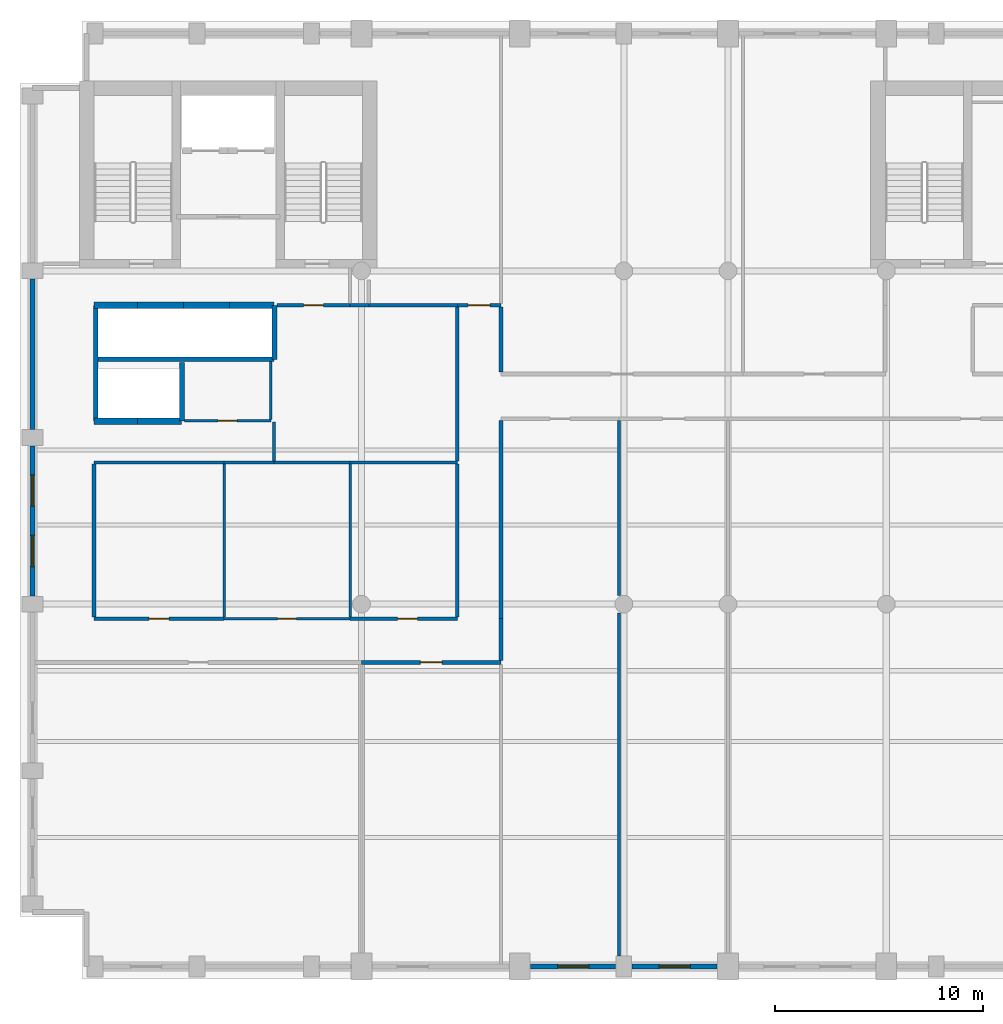
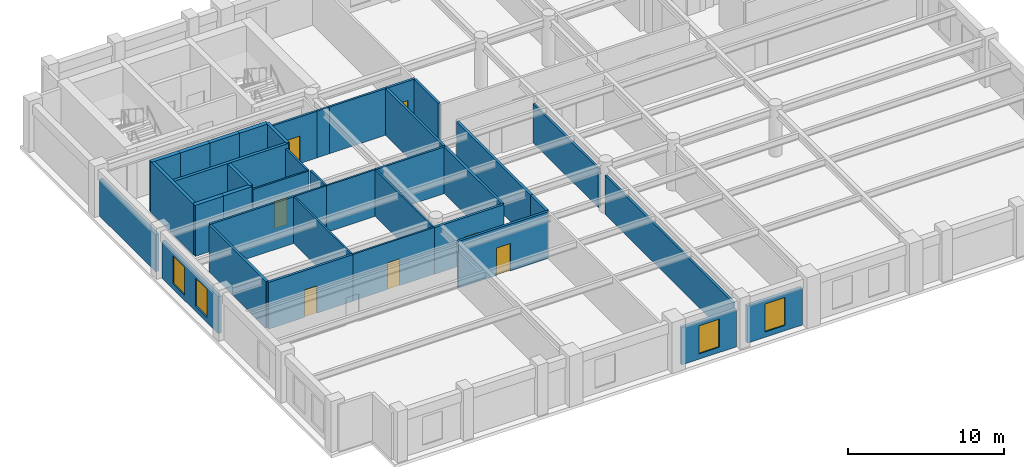
# One storey, part 3 of 8: 39 walls, 7 doors, 4 windows, 11 openings.
"""IFC4 building model written with IfcOpenShell, lengths in metres."""

import ifcopenshell
import ifcopenshell.guid

model = None  # the IFC model being written
_history = None  # IfcOwnerHistory: only IFC2X3 demands one
_inside = {}  # id of a spatial element -> (the spatial element, [elements in it])
_under = {}  # id of a project, library or spatial element -> (it, [spatial elements below it])
_declared = {}  # id of a project -> (the project, [libraries it declares])
_typed = {}  # id of a type object -> (the type object, [elements of that type])
_made_of = {}  # id of a material, layer set ... -> (it, [elements and type objects made of it])


def new_model(schema):
    """Start an empty IFC model of exactly this schema.

    Asked for "IFC4X3", IfcOpenShell would pick the latest addendum, in which some entities
    have other attributes; the version numbers below select the first issue.
    IFC2X3 requires an IfcOwnerHistory on every rooted entity: one is made here for all.
    """
    global model, _history
    if schema == "IFC4X3":
        model = ifcopenshell.file(schema_version=(4, 3, 0, 0))
    else:
        model = ifcopenshell.file(schema=schema)
    _inside.clear()
    _under.clear()
    _declared.clear()
    _typed.clear()
    _made_of.clear()
    _history = None
    if model.schema == "IFC2X3":
        org = make("IfcOrganization", Name="unknown")
        user = make(
            "IfcPersonAndOrganization",
            ThePerson=make("IfcPerson", FamilyName="unknown"),
            TheOrganization=org,
        )
        app = make(
            "IfcApplication",
            ApplicationDeveloper=org,
            Version="unknown",
            ApplicationFullName="unknown",
            ApplicationIdentifier="unknown",
        )
        _history = make(
            "IfcOwnerHistory",
            OwningUser=user,
            OwningApplication=app,
            ChangeAction="ADDED",
            CreationDate=0,
        )
    return model


def make(cls, **values):
    """One entity of the class cls with the attributes given. An attribute that is None is left unset."""
    return model.create_entity(
        cls, **{name: value for name, value in values.items() if value is not None}
    )


def rooted(cls, **values):
    """An entity with a GlobalId (a new one), such as an element, a storey or a relation."""
    return make(cls, GlobalId=ifcopenshell.guid.new(), OwnerHistory=_history, **values)


def si_unit(unit_type, name, prefix=None):
    """IfcSIUnit, for example si_unit("LENGTHUNIT", "METRE", prefix="MILLI")."""
    return make("IfcSIUnit", UnitType=unit_type, Prefix=prefix, Name=name)


def assignment(units):
    """IfcUnitAssignment: the units of a project."""
    return None if units is None else make("IfcUnitAssignment", Units=units)


def point(xyz):
    """IfcCartesianPoint."""
    return None if xyz is None else make("IfcCartesianPoint", Coordinates=xyz)


def direction(xyz):
    """IfcDirection."""
    return None if xyz is None else make("IfcDirection", DirectionRatios=xyz)


def frame(location, z_axis=None, x_axis=None):
    """IfcAxis2Placement3D, a coordinate frame: its origin and axes. An axis left out is left unset."""
    return make(
        "IfcAxis2Placement3D",
        Location=point(location),
        Axis=direction(z_axis),
        RefDirection=direction(x_axis),
    )


def frame_2d(location, x_axis=None):
    """IfcAxis2Placement2D, a coordinate frame in the plane: its origin and x axis."""
    return make(
        "IfcAxis2Placement2D", Location=point(location), RefDirection=direction(x_axis)
    )


def origin():
    """The frame at (0, 0, 0) with its axes left unset."""
    return frame((0.0, 0.0, 0.0))


def place(relative_to, where):
    """IfcLocalPlacement: puts the frame where relative to a parent placement (None: the world)."""
    return make(
        "IfcLocalPlacement", PlacementRelTo=relative_to, RelativePlacement=where
    )


def context(
    kind, dimensions, precision=None, world=None, true_north=None, identifier=None
):
    """IfcGeometricRepresentationContext, for example the 3D "Model" context."""
    return make(
        "IfcGeometricRepresentationContext",
        ContextIdentifier=identifier,
        ContextType=kind,
        CoordinateSpaceDimension=dimensions,
        Precision=precision,
        WorldCoordinateSystem=world,
        TrueNorth=true_north,
    )


def subcontext(parent, identifier, kind, view, scale=None):
    """IfcGeometricRepresentationSubContext, for example "Body" below "Model"."""
    return make(
        "IfcGeometricRepresentationSubContext",
        ContextIdentifier=identifier,
        ContextType=kind,
        ParentContext=parent,
        TargetScale=scale,
        TargetView=view,
    )


def project(units=None, contexts=None):
    """IfcProject with its units and contexts."""
    return rooted(
        "IfcProject",
        Name="project",
        RepresentationContexts=contexts,
        UnitsInContext=assignment(units),
    )


def spatial(cls, under=None, at=None, **own):
    """A site, building, storey or space (cls), placed at a placement, below another one or the project."""
    s = rooted(cls, ObjectPlacement=at, **own)
    if under is not None:
        _under.setdefault(under.id(), (under, []))[1].append(s)
    return s


def profile(cls, at=None, kind="AREA", **sizes):
    """A parametric profile (cls). Its sizes go by their IFC names, for example OverallWidth=200.0."""
    return make(cls, ProfileType=kind, Position=at, **sizes)


def rectangle(**sizes):
    """IfcRectangleProfileDef."""
    return profile("IfcRectangleProfileDef", **sizes)


def extrude(swept, where, along, depth):
    """IfcExtrudedAreaSolid: the profile swept, set in the frame where, extruded along a direction by depth."""
    return make(
        "IfcExtrudedAreaSolid",
        SweptArea=swept,
        Position=where,
        ExtrudedDirection=direction(along),
        Depth=depth,
    )


def shape(context_of_items, identifier, shape_type, items):
    """IfcShapeRepresentation: the items that make up one representation, for example the "Body"."""
    return make(
        "IfcShapeRepresentation",
        ContextOfItems=context_of_items,
        RepresentationIdentifier=identifier,
        RepresentationType=shape_type,
        Items=items,
    )


def material(Name=None, Category=None):
    """IfcMaterial."""
    return make("IfcMaterial", Name=Name, Category=Category)


def layer(
    of_material, thickness, ventilated=None, Name=None, Category=None, Priority=None
):
    """IfcMaterialLayer: one layer of a wall or slab, of a material (None: an air gap)."""
    return make(
        "IfcMaterialLayer",
        Material=of_material,
        LayerThickness=thickness,
        IsVentilated=ventilated,
        Name=Name,
        Category=Category,
        Priority=Priority,
    )


def layer_set(layers, Name=None):
    """IfcMaterialLayerSet."""
    return make("IfcMaterialLayerSet", MaterialLayers=layers, LayerSetName=Name)


def made_of(thing, what):
    """Note that an element or type object is made of a material, layer set ...; save() writes the relation."""
    if what is not None:
        _made_of.setdefault(what.id(), (what, []))[1].append(thing)
    return thing


def type_object(cls, material=None, **own):
    """A type object (cls), such as IfcWallType, which elements share."""
    return made_of(rooted(cls, **own), material)


def element(
    cls,
    number,
    at=None,
    inside=None,
    cuts=None,
    type_object=None,
    material=None,
    context=None,
    identifier="Body",
    shape_type=None,
    held_by="IfcProductDefinitionShape",
    body=None,
    shapes=None,
    **own,
):
    """One element of the class cls, such as IfcWall. Its Tag is "e" and its number.

    at: its placement. inside: the storey or other place that contains it. cuts: it is an
    opening in that element (IfcRelVoidsElement). A single representation is given by context,
    identifier, shape_type and body (its items); several are given by shapes. held_by: the class
    of the entity that holds the representations. save() writes the other relations.
    """
    e = rooted(cls, Tag="e%d" % number, ObjectPlacement=at, **own)
    if body is not None:
        shapes = [shape(context, identifier, shape_type, body)]
    if shapes is not None:
        e.Representation = make(held_by, Representations=shapes)
    if inside is not None:
        _inside.setdefault(inside.id(), (inside, []))[1].append(e)
    if cuts is not None:
        rooted(
            "IfcRelVoidsElement", RelatingBuildingElement=cuts, RelatedOpeningElement=e
        )
    if type_object is not None:
        _typed.setdefault(type_object.id(), (type_object, []))[1].append(e)
    return made_of(e, material)


def fill(opening, filler):
    """IfcRelFillsElement: the door or window that sits in an opening."""
    return rooted(
        "IfcRelFillsElement",
        RelatingOpeningElement=opening,
        RelatedBuildingElement=filler,
    )


def aggregate(whole, parts):
    """IfcRelAggregates: a whole, such as a stair, and the parts it consists of."""
    return rooted("IfcRelAggregates", RelatingObject=whole, RelatedObjects=parts)


def save(model, path):
    """Write the relations noted so far, then the file.

    IfcRelAggregates (storeys below a building ...), IfcRelContainedInSpatialStructure (elements
    in a storey), IfcRelDefinesByType, IfcRelAssociatesMaterial and IfcRelDeclares: one each for
    every whole, place, type object, material and project.
    """
    for whole, parts in _under.values():
        aggregate(whole, parts)
    for where, things in _inside.values():
        rooted(
            "IfcRelContainedInSpatialStructure",
            RelatedElements=things,
            RelatingStructure=where,
        )
    for kind, things in _typed.values():
        rooted("IfcRelDefinesByType", RelatedObjects=things, RelatingType=kind)
    for what, things in _made_of.values():
        rooted("IfcRelAssociatesMaterial", RelatedObjects=things, RelatingMaterial=what)
    for by, libraries in _declared.values():
        rooted("IfcRelDeclares", RelatingContext=by, RelatedDefinitions=libraries)
    model.write(path)


model = new_model("IFC4")

# Units and contexts
model_context = context("Model", 3, precision=1e-05, world=origin(), true_north=direction((0.0, 1.0)))
body_context = subcontext(model_context, "Body", "Model", "MODEL_VIEW")
ifc_project = project(units=[si_unit("LENGTHUNIT", "METRE"), si_unit("AREAUNIT", "SQUARE_METRE"), si_unit("VOLUMEUNIT", "CUBIC_METRE"), si_unit("PLANEANGLEUNIT", "RADIAN"), si_unit("MASSUNIT", "GRAM", prefix="KILO")], contexts=[model_context])

# Site, building, storey
site_placement = place(None, origin())
site = spatial("IfcSite", under=ifc_project, at=site_placement, CompositionType="ELEMENT")
building_placement = place(site_placement, origin())
building = spatial("IfcBuilding", under=site, at=building_placement, Name="Sulina Concourse Tower", CompositionType="ELEMENT")
storey_placement = place(building_placement, frame((0.0, 0.0, 234.60009765625)))
storey = spatial("IfcBuildingStorey", under=building, at=storey_placement, Name="L57", CompositionType="ELEMENT", Elevation=234.60009765625)

# Walls
ifc_material_1 = material(Name="Concrete C50/60", Category="concrete")
ifc_layer_1 = layer(ifc_material_1, 0.219970703125)
ifc_layer_set_1 = layer_set([ifc_layer_1], Name="Concrete C50/60")
wall_type_1 = type_object("IfcWallType", Name="Core Lift Hoistway Divider Wall 220mm", PredefinedType="SOLIDWALL", material=ifc_layer_set_1)
wall_1_placement = place(storey_placement, frame((3.550048828125, 29.75, 0.0), z_axis=(0.0, 0.0, 1.0), x_axis=(1.0, 0.0, 0.0)))
element("IfcWall", 1, at=wall_1_placement, inside=storey, type_object=wall_type_1, Name="L57 shaft divider wall HW-LP3-S", PredefinedType="SOLIDWALL", context=body_context, shape_type="SweptSolid", body=[
    extrude(rectangle(XDim=8.64990234375, YDim=0.219970703125, at=frame_2d((4.324951171875, 0.0))), origin(), (0.0, 0.0, 1.0), 4.0),
])
wall_2_placement = place(storey_placement, frame((3.6298828125, 26.800048828125, 0.0), z_axis=(0.0, 0.0, 1.0), x_axis=(0.0, 1.0, 0.0)))
element("IfcWall", 2, at=wall_2_placement, inside=storey, type_object=wall_type_1, Name="L57 shaft divider wall HW-LP3-W", PredefinedType="SOLIDWALL", context=body_context, shape_type="SweptSolid", body=[
    extrude(rectangle(XDim=5.550048828125, YDim=0.219970703125, at=frame_2d((2.77490234375, 0.0))), origin(), (0.0, 0.0, 1.0), 4.0),
])
wall_3_placement = place(storey_placement, frame((7.780029296875, 26.800048828125, 0.0), z_axis=(0.0, 0.0, 1.0), x_axis=(0.0, 1.0, 0.0)))
element("IfcWall", 3, at=wall_3_placement, inside=storey, type_object=wall_type_1, Name="L57 shaft divider wall HW-EXP-E", PredefinedType="SOLIDWALL", context=body_context, shape_type="SweptSolid", body=[
    extrude(rectangle(XDim=2.800048828125, YDim=0.219970703125, at=frame_2d((1.39990234375, 0.0))), origin(), (0.0, 0.0, 1.0), 4.0),
])
wall_4_placement = place(storey_placement, frame((12.219970703125, 29.75, 0.0), z_axis=(0.0, 0.0, 1.0), x_axis=(0.0, 1.0, 0.0)))
element("IfcWall", 4, at=wall_4_placement, inside=storey, type_object=wall_type_1, Name="L57 shaft divider wall HW-LP3-E", PredefinedType="SOLIDWALL", context=body_context, shape_type="SweptSolid", body=[
    extrude(rectangle(XDim=2.60009765625, YDim=0.219970703125, at=frame_2d((1.300048828125, 0.0))), origin(), (0.0, 0.0, 1.0), 4.0),
])
ifc_material_2 = material(Name="Concrete C50/60", Category="concrete")
ifc_layer_2 = layer(ifc_material_2, 0.300048828125)
ifc_layer_set_2 = layer_set([ifc_layer_2], Name="Concrete C50/60")
wall_type_2 = type_object("IfcWallType", Name="Core Lift Hoistway Wall 300mm", PredefinedType="SOLIDWALL", material=ifc_layer_set_2)
wall_5_placement = place(storey_placement, frame((3.550048828125, 32.35009765625, 0.0), z_axis=(0.0, 0.0, 1.0), x_axis=(1.0, 0.0, 0.0)))
element("IfcWall", 5, at=wall_5_placement, inside=storey, type_object=wall_type_2, Name="L57 hoistway enclosure wall LP-09", PredefinedType="SOLIDWALL", context=body_context, shape_type="SweptSolid", body=[
    extrude(rectangle(XDim=2.099853515625, YDim=0.300048828125, at=frame_2d((1.0498046875, 0.0))), origin(), (0.0, 0.0, 1.0), 4.0),
])
wall_6_placement = place(storey_placement, frame((5.64990234375, 32.35009765625, 0.0), z_axis=(0.0, 0.0, 1.0), x_axis=(1.0, 0.0, 0.0)))
element("IfcWall", 6, at=wall_6_placement, inside=storey, type_object=wall_type_2, Name="L57 hoistway enclosure wall LP-10", PredefinedType="SOLIDWALL", context=body_context, shape_type="SweptSolid", body=[
    extrude(rectangle(XDim=2.2001953125, YDim=0.300048828125, at=frame_2d((1.10009765625, 0.0))), origin(), (0.0, 0.0, 1.0), 4.0),
])
wall_7_placement = place(storey_placement, frame((7.85009765625, 32.35009765625, 0.0), z_axis=(0.0, 0.0, 1.0), x_axis=(1.0, 0.0, 0.0)))
element("IfcWall", 7, at=wall_7_placement, inside=storey, type_object=wall_type_2, Name="L57 hoistway enclosure wall LP-11", PredefinedType="SOLIDWALL", context=body_context, shape_type="SweptSolid", body=[
    extrude(rectangle(XDim=2.199951171875, YDim=0.300048828125, at=frame_2d((1.10009765625, 0.0))), origin(), (0.0, 0.0, 1.0), 4.0),
])
wall_8_placement = place(storey_placement, frame((10.050048828125, 32.35009765625, 0.0), z_axis=(0.0, 0.0, 1.0), x_axis=(1.0, 0.0, 0.0)))
element("IfcWall", 8, at=wall_8_placement, inside=storey, type_object=wall_type_2, Name="L57 hoistway enclosure wall LP-12", PredefinedType="SOLIDWALL", context=body_context, shape_type="SweptSolid", body=[
    extrude(rectangle(XDim=2.14990234375, YDim=0.300048828125, at=frame_2d((1.074951171875, 0.0))), origin(), (0.0, 0.0, 1.0), 4.0),
])
wall_9_placement = place(storey_placement, frame((5.64990234375, 26.780029296875, 0.0), z_axis=(0.0, 0.0, 1.0), x_axis=(-1.0, 0.0, 0.0)))
element("IfcWall", 9, at=wall_9_placement, inside=storey, type_object=wall_type_2, Name="L57 hoistway enclosure wall EXP-1", PredefinedType="SOLIDWALL", context=body_context, shape_type="SweptSolid", body=[
    extrude(rectangle(XDim=2.099853515625, YDim=0.300048828125, at=frame_2d((1.0498046875, 0.0))), origin(), (0.0, 0.0, 1.0), 4.0),
])
wall_10_placement = place(storey_placement, frame((7.75, 26.780029296875, 0.0), z_axis=(0.0, 0.0, 1.0), x_axis=(-1.0, 0.0, 0.0)))
element("IfcWall", 10, at=wall_10_placement, inside=storey, type_object=wall_type_2, Name="L57 hoistway enclosure wall EXP-2", PredefinedType="SOLIDWALL", context=body_context, shape_type="SweptSolid", body=[
    extrude(rectangle(XDim=2.10009765625, YDim=0.300048828125, at=frame_2d((1.050048828125, 0.0))), origin(), (0.0, 0.0, 1.0), 4.0),
])

# Wall, opening, window
ifc_material_3 = material(Name="Precast concrete C50/60", Category="concrete")
ifc_layer_3 = layer(ifc_material_3, 0.239990234375)
ifc_layer_set_3 = layer_set([ifc_layer_3], Name="Precast concrete C50/60")
wall_type_3 = type_object("IfcWallType", Name="Crown Precast Masonry-Frame Facade Wall 240mm", PredefinedType="SOLIDWALL", material=ifc_layer_set_3)
wall_11_placement = place(storey_placement, frame((28.60498046875, 0.60009765625, 0.0), z_axis=(0.0, 0.0, 1.0), x_axis=(-1.0, 0.0, 0.0)))
wall_11 = element("IfcWall", 11, at=wall_11_placement, inside=storey, type_object=wall_type_3, Name="L57 exterior precast wall S5", PredefinedType="SOLIDWALL", context=body_context, shape_type="SweptSolid", body=[
    extrude(rectangle(XDim=4.0849609375, YDim=0.239990234375, at=frame_2d((2.04248046875, 0.0))), origin(), (0.0, 0.0, 1.0), 2.909912109375),
])
opening_1_placement = place(wall_11_placement, frame((1.29248046875, 0.0, 0.419921875)))
opening_1 = element("IfcOpeningElement", 12, at=opening_1_placement, cuts=wall_11, Name="Opening WN-71", PredefinedType="OPENING", context=body_context, shape_type="SweptSolid", body=[
    extrude(rectangle(XDim=1.5, YDim=2.199951171875, at=frame_2d((0.75, 1.10009765625))), frame((0.0, 0.1298828125, 0.0), z_axis=(0.0, -1.0, 0.0), x_axis=(1.0, 0.0, 0.0)), (0.0, 0.0, 1.0), 0.260009765625),
])
ifc_material_4 = material(Name="Low-E solar double glazing in bronze aluminium", Category="aluminium")
window_type = type_object("IfcWindowType", Name="Punched Masonry-Frame Window 1500x2200", PartitioningType="SINGLE_PANEL", PredefinedType="WINDOW", material=ifc_material_4)
window_1_placement = place(opening_1_placement, origin())
window_1 = element("IfcWindow", 13, at=window_1_placement, inside=storey, type_object=window_type, Name="L57 punched window S5-1", OverallHeight=2.199951171875, OverallWidth=1.5, PartitioningType="SINGLE_PANEL", PredefinedType="WINDOW", context=body_context, shape_type="SweptSolid", body=[
    extrude(rectangle(XDim=1.5, YDim=2.199951171875, at=frame_2d((0.75, 1.10009765625))), frame((0.0, 0.030029296875, 0.0), z_axis=(0.0, -1.0, 0.0), x_axis=(1.0, 0.0, 0.0)), (0.0, 0.0, 1.0), 0.06005859375),
])
fill(opening_1, window_1)

wall_12_placement = place(storey_placement, frame((33.47998046875, 0.60009765625, 0.0), z_axis=(0.0, 0.0, 1.0), x_axis=(-1.0, 0.0, 0.0)))
wall_12 = element("IfcWall", 14, at=wall_12_placement, inside=storey, type_object=wall_type_3, Name="L57 exterior precast wall S6", PredefinedType="SOLIDWALL", context=body_context, shape_type="SweptSolid", body=[
    extrude(rectangle(XDim=4.0849609375, YDim=0.239990234375, at=frame_2d((2.04248046875, 0.0))), origin(), (0.0, 0.0, 1.0), 2.909912109375),
])
opening_2_placement = place(wall_12_placement, frame((1.29248046875, 0.0, 0.419921875)))
opening_2 = element("IfcOpeningElement", 15, at=opening_2_placement, cuts=wall_12, Name="Opening WN-71", PredefinedType="OPENING", context=body_context, shape_type="SweptSolid", body=[
    extrude(rectangle(XDim=1.5, YDim=2.199951171875, at=frame_2d((0.75, 1.10009765625))), frame((0.0, 0.1298828125, 0.0), z_axis=(0.0, -1.0, 0.0), x_axis=(1.0, 0.0, 0.0)), (0.0, 0.0, 1.0), 0.260009765625),
])
window_2_placement = place(opening_2_placement, origin())
window_2 = element("IfcWindow", 16, at=window_2_placement, inside=storey, type_object=window_type, Name="L57 punched window S6-1", OverallHeight=2.199951171875, OverallWidth=1.5, PartitioningType="SINGLE_PANEL", PredefinedType="WINDOW", context=body_context, shape_type="SweptSolid", body=[
    extrude(rectangle(XDim=1.5, YDim=2.199951171875, at=frame_2d((0.75, 1.10009765625))), frame((0.0, 0.030029296875, 0.0), z_axis=(0.0, -1.0, 0.0), x_axis=(1.0, 0.0, 0.0)), (0.0, 0.0, 1.0), 0.06005859375),
])
fill(opening_2, window_2)

# Wall, openings, windows
wall_13_placement = place(storey_placement, frame((0.60009765625, 18.39501953125, 0.0), z_axis=(0.0, 0.0, 1.0), x_axis=(0.0, 1.0, 0.0)))
wall_13 = element("IfcWall", 17, at=wall_13_placement, inside=storey, type_object=wall_type_3, Name="L57 exterior precast wall W3", PredefinedType="SOLIDWALL", context=body_context, shape_type="SweptSolid", body=[
    extrude(rectangle(XDim=7.2099609375, YDim=0.239990234375, at=frame_2d((3.60498046875, 0.0))), origin(), (0.0, 0.0, 1.0), 2.909912109375),
])
opening_3_placement = place(wall_13_placement, frame((1.4033203125, 0.0, 0.419921875)))
opening_3 = element("IfcOpeningElement", 18, at=opening_3_placement, cuts=wall_13, Name="Opening WN-71", PredefinedType="OPENING", context=body_context, shape_type="SweptSolid", body=[
    extrude(rectangle(XDim=1.5, YDim=2.199951171875, at=frame_2d((0.75, 1.10009765625))), frame((0.0, 0.1298828125, 0.0), z_axis=(0.0, -1.0, 0.0), x_axis=(1.0, 0.0, 0.0)), (0.0, 0.0, 1.0), 0.260009765625),
])
opening_4_placement = place(wall_13_placement, frame((4.306640625, 0.0, 0.419921875)))
opening_4 = element("IfcOpeningElement", 19, at=opening_4_placement, cuts=wall_13, Name="Opening WN-71", PredefinedType="OPENING", context=body_context, shape_type="SweptSolid", body=[
    extrude(rectangle(XDim=1.5, YDim=2.199951171875, at=frame_2d((0.75, 1.10009765625))), frame((0.0, 0.1298828125, 0.0), z_axis=(0.0, -1.0, 0.0), x_axis=(1.0, 0.0, 0.0)), (0.0, 0.0, 1.0), 0.260009765625),
])
window_3_placement = place(opening_3_placement, origin())
window_3 = element("IfcWindow", 20, at=window_3_placement, inside=storey, type_object=window_type, Name="L57 punched window W3-1", OverallHeight=2.199951171875, OverallWidth=1.5, PartitioningType="SINGLE_PANEL", PredefinedType="WINDOW", context=body_context, shape_type="SweptSolid", body=[
    extrude(rectangle(XDim=1.5, YDim=2.199951171875, at=frame_2d((0.75, 1.10009765625))), frame((0.0, 0.030029296875, 0.0), z_axis=(0.0, -1.0, 0.0), x_axis=(1.0, 0.0, 0.0)), (0.0, 0.0, 1.0), 0.06005859375),
])
fill(opening_3, window_3)
window_4_placement = place(opening_4_placement, origin())
window_4 = element("IfcWindow", 21, at=window_4_placement, inside=storey, type_object=window_type, Name="L57 punched window W3-2", OverallHeight=2.199951171875, OverallWidth=1.5, PartitioningType="SINGLE_PANEL", PredefinedType="WINDOW", context=body_context, shape_type="SweptSolid", body=[
    extrude(rectangle(XDim=1.5, YDim=2.199951171875, at=frame_2d((0.75, 1.10009765625))), frame((0.0, 0.030029296875, 0.0), z_axis=(0.0, -1.0, 0.0), x_axis=(1.0, 0.0, 0.0)), (0.0, 0.0, 1.0), 0.06005859375),
])
fill(opening_4, window_4)

# Walls
wall_14_placement = place(storey_placement, frame((0.60009765625, 26.39501953125, 0.0), z_axis=(0.0, 0.0, 1.0), x_axis=(0.0, 1.0, 0.0)))
element("IfcWall", 22, at=wall_14_placement, inside=storey, type_object=wall_type_3, Name="L57 exterior precast wall W4", PredefinedType="SOLIDWALL", context=body_context, shape_type="SweptSolid", body=[
    extrude(rectangle(XDim=7.2099609375, YDim=0.239990234375, at=frame_2d((3.60498046875, 0.0))), origin(), (0.0, 0.0, 1.0), 2.909912109375),
])
ifc_material_5 = material(Name="Gypsum board on steel stud", Category="steel")
ifc_layer_4 = layer(ifc_material_5, 0.14990234375)
ifc_layer_set_4 = layer_set([ifc_layer_4], Name="Gypsum board on steel stud")
wall_type_4 = type_object("IfcWallType", Name="Inter-Tenancy Acoustic Partition 150mm", PredefinedType="PARTITIONING", material=ifc_layer_set_4)
wall_15_placement = place(storey_placement, frame((3.550048828125, 24.800048828125, 0.0), z_axis=(0.0, 0.0, 1.0), x_axis=(1.0, 0.0, 0.0)))
element("IfcWall", 23, at=wall_15_placement, inside=storey, type_object=wall_type_4, Name="L57 interior partition 006", PredefinedType="PARTITIONING", context=body_context, shape_type="SweptSolid", body=[
    extrude(rectangle(XDim=6.25, YDim=0.14990234375, at=frame_2d((3.125, 0.0))), origin(), (0.0, 0.0, 1.0), 3.659912109375),
])
wall_16_placement = place(storey_placement, frame((15.85009765625, 24.800048828125, 0.0), z_axis=(0.0, 0.0, 1.0), x_axis=(1.0, 0.0, 0.0)))
element("IfcWall", 24, at=wall_16_placement, inside=storey, type_object=wall_type_4, Name="L57 interior partition 009", PredefinedType="PARTITIONING", context=body_context, shape_type="SweptSolid", body=[
    extrude(rectangle(XDim=5.14990234375, YDim=0.14990234375, at=frame_2d((2.574951171875, 0.0))), origin(), (0.0, 0.0, 1.0), 3.659912109375),
])

# Wall, opening, door
wall_17_placement = place(storey_placement, frame((12.330078125, 32.35009765625, 0.0), z_axis=(0.0, 0.0, 1.0), x_axis=(1.0, 0.0, 0.0)))
wall_17 = element("IfcWall", 25, at=wall_17_placement, inside=storey, type_object=wall_type_4, Name="L57 interior partition 017", PredefinedType="PARTITIONING", context=body_context, shape_type="SweptSolid", body=[
    extrude(rectangle(XDim=3.52001953125, YDim=0.14990234375, at=frame_2d((1.760009765625, 0.0))), origin(), (0.0, 0.0, 1.0), 3.659912109375),
])
opening_5_placement = place(wall_17_placement, frame((1.284912109375, 0.0, 0.0)))
opening_5 = element("IfcOpeningElement", 26, at=opening_5_placement, cuts=wall_17, Name="Opening DR-19", PredefinedType="OPENING", context=body_context, shape_type="SweptSolid", body=[
    extrude(rectangle(XDim=0.949951171875, YDim=2.14990234375, at=frame_2d((0.47509765625, 1.074951171875))), frame((0.0, 0.0849609375, 0.0), z_axis=(0.0, -1.0, 0.0), x_axis=(1.0, 0.0, 0.0)), (0.0, 0.0, 1.0), 0.169921875),
])
ifc_material_6 = material(Name="Oak-veneered acoustic timber leaf", Category="wood")
ifc_layer_5 = layer(ifc_material_6, 0.050048828125)
ifc_layer_set_5 = layer_set([ifc_layer_5], Name="Oak-veneered acoustic timber leaf")
door_type_1 = type_object("IfcDoorType", Name="Cellular Office & Meeting Door 950x2150", OperationType="NOTDEFINED", PredefinedType="DOOR", material=ifc_layer_set_5)
door_1_placement = place(opening_5_placement, origin())
door_1 = element("IfcDoor", 27, at=door_1_placement, inside=storey, type_object=door_type_1, Name="L57 interior door L57-MR-MRG1", OperationType="SINGLE_SWING_LEFT", OverallHeight=2.14990234375, OverallWidth=0.949951171875, PredefinedType="DOOR", context=body_context, shape_type="SweptSolid", body=[
    extrude(rectangle(XDim=0.949951171875, YDim=2.14990234375, at=frame_2d((0.47509765625, 1.074951171875))), frame((0.0, 0.02490234375, 0.0), z_axis=(0.0, -1.0, 0.0), x_axis=(1.0, 0.0, 0.0)), (0.0, 0.0, 1.0), 0.050048828125),
])
fill(opening_5, door_1)

# Walls
wall_18_placement = place(storey_placement, frame((15.85009765625, 32.35009765625, 0.0), z_axis=(0.0, 0.0, 1.0), x_axis=(1.0, 0.0, 0.0)))
element("IfcWall", 28, at=wall_18_placement, inside=storey, type_object=wall_type_4, Name="L57 interior partition 018", PredefinedType="PARTITIONING", context=body_context, shape_type="SweptSolid", body=[
    extrude(rectangle(XDim=0.89990234375, YDim=0.14990234375, at=frame_2d((0.449951171875, 0.0))), origin(), (0.0, 0.0, 1.0), 3.659912109375),
])
wall_19_placement = place(storey_placement, frame((16.75, 32.35009765625, 0.0), z_axis=(0.0, 0.0, 1.0), x_axis=(1.0, 0.0, 0.0)))
element("IfcWall", 29, at=wall_19_placement, inside=storey, type_object=wall_type_4, Name="L57 interior partition 019", PredefinedType="PARTITIONING", context=body_context, shape_type="SweptSolid", body=[
    extrude(rectangle(XDim=4.25, YDim=0.14990234375, at=frame_2d((2.125, 0.0))), origin(), (0.0, 0.0, 1.0), 3.659912109375),
])
wall_20_placement = place(storey_placement, frame((12.199951171875, 24.862548828125, 0.0), z_axis=(0.0, 0.0, 1.0), x_axis=(0.0, 1.0, 0.0)))
element("IfcWall", 30, at=wall_20_placement, inside=storey, type_object=wall_type_4, Name="L57 interior partition 029", PredefinedType="PARTITIONING", context=body_context, shape_type="SweptSolid", body=[
    extrude(rectangle(XDim=1.875, YDim=0.14990234375, at=frame_2d((0.9375, 0.0))), origin(), (0.0, 0.0, 1.0), 3.659912109375),
])
wall_21_placement = place(storey_placement, frame((28.77001953125, 1.10009765625, 0.0), z_axis=(0.0, 0.0, 1.0), x_axis=(0.0, 1.0, 0.0)))
element("IfcWall", 31, at=wall_21_placement, inside=storey, type_object=wall_type_4, Name="L57 interior partition 041", PredefinedType="PARTITIONING", context=body_context, shape_type="SweptSolid", body=[
    extrude(rectangle(XDim=16.474853515625, YDim=0.14990234375, at=frame_2d((8.2373046875, 0.0))), origin(), (0.0, 0.0, 1.0), 3.054931640625),
])
wall_22_placement = place(storey_placement, frame((28.77001953125, 18.425048828125, 0.0), z_axis=(0.0, 0.0, 1.0), x_axis=(0.0, 1.0, 0.0)))
element("IfcWall", 32, at=wall_22_placement, inside=storey, type_object=wall_type_4, Name="L57 interior partition 042", PredefinedType="PARTITIONING", context=body_context, shape_type="SweptSolid", body=[
    extrude(rectangle(XDim=8.385009765625, YDim=0.14990234375, at=frame_2d((4.1923828125, 0.0))), origin(), (0.0, 0.0, 1.0), 3.054931640625),
])

# Wall, opening, door
ifc_material_7 = material(Name="Gypsum board on steel stud", Category="steel")
ifc_layer_6 = layer(ifc_material_7, 0.179931640625)
ifc_layer_set_6 = layer_set([ifc_layer_6], Name="Gypsum board on steel stud")
wall_type_5 = type_object("IfcWallType", Name="Protected Corridor & Riser Partition 180mm", PredefinedType="PARTITIONING", material=ifc_layer_set_6)
wall_23_placement = place(storey_placement, frame((16.39990234375, 15.199951171875, 0.0), z_axis=(0.0, 0.0, 1.0), x_axis=(1.0, 0.0, 0.0)))
wall_23 = element("IfcWall", 33, at=wall_23_placement, inside=storey, type_object=wall_type_5, Name="L57 interior partition 002", PredefinedType="PARTITIONING", context=body_context, shape_type="SweptSolid", body=[
    extrude(rectangle(XDim=6.7001953125, YDim=0.179931640625, at=frame_2d((3.35009765625, 0.0))), origin(), (0.0, 0.0, 1.0), 3.659912109375),
])
opening_6_placement = place(wall_23_placement, frame((2.824951171875, 0.0, 0.0)))
opening_6 = element("IfcOpeningElement", 34, at=opening_6_placement, cuts=wall_23, Name="Opening DR-37", PredefinedType="OPENING", context=body_context, shape_type="SweptSolid", body=[
    extrude(rectangle(XDim=1.050048828125, YDim=2.14990234375, at=frame_2d((0.52490234375, 1.074951171875))), frame((0.0, 0.099853515625, 0.0), z_axis=(0.0, -1.0, 0.0), x_axis=(1.0, 0.0, 0.0)), (0.0, 0.0, 1.0), 0.199951171875),
])
ifc_material_8 = material(Name="Oak-veneered fire door leaf")
ifc_layer_7 = layer(ifc_material_8, 0.050048828125)
ifc_layer_set_7 = layer_set([ifc_layer_7], Name="Oak-veneered fire door leaf")
door_type_2 = type_object("IfcDoorType", Name="Tenant Suite Entrance Fire Door 1050x2150", OperationType="NOTDEFINED", PredefinedType="DOOR", material=ifc_layer_set_7)
door_2_placement = place(opening_6_placement, origin())
door_2 = element("IfcDoor", 35, at=door_2_placement, inside=storey, type_object=door_type_2, Name="L57 interior door L57-S02", OperationType="SINGLE_SWING_RIGHT", OverallHeight=2.14990234375, OverallWidth=1.050048828125, PredefinedType="DOOR", context=body_context, shape_type="SweptSolid", body=[
    extrude(rectangle(XDim=1.050048828125, YDim=2.14990234375, at=frame_2d((0.52490234375, 1.074951171875))), frame((0.0, 0.02490234375, 0.0), z_axis=(0.0, -1.0, 0.0), x_axis=(1.0, 0.0, 0.0)), (0.0, 0.0, 1.0), 0.050048828125),
])
fill(opening_6, door_2)

wall_24_placement = place(storey_placement, frame((3.550048828125, 17.300048828125, 0.0), z_axis=(0.0, 0.0, 1.0), x_axis=(1.0, 0.0, 0.0)))
wall_24 = element("IfcWall", 36, at=wall_24_placement, inside=storey, type_object=wall_type_5, Name="L57 interior partition 003", PredefinedType="PARTITIONING", context=body_context, shape_type="SweptSolid", body=[
    extrude(rectangle(XDim=6.25, YDim=0.179931640625, at=frame_2d((3.125, 0.0))), origin(), (0.0, 0.0, 1.0), 3.659912109375),
])
opening_7_placement = place(wall_24_placement, frame((2.64990234375, 0.0, 0.0)))
opening_7 = element("IfcOpeningElement", 37, at=opening_7_placement, cuts=wall_24, Name="Opening DR-19", PredefinedType="OPENING", context=body_context, shape_type="SweptSolid", body=[
    extrude(rectangle(XDim=0.949951171875, YDim=2.14990234375, at=frame_2d((0.47509765625, 1.074951171875))), frame((0.0, 0.099853515625, 0.0), z_axis=(0.0, -1.0, 0.0), x_axis=(1.0, 0.0, 0.0)), (0.0, 0.0, 1.0), 0.199951171875),
])
door_3_placement = place(opening_7_placement, origin())
door_3 = element("IfcDoor", 38, at=door_3_placement, inside=storey, type_object=door_type_1, Name="L57 interior door L57-LR-MRG1", OperationType="SINGLE_SWING_LEFT", OverallHeight=2.14990234375, OverallWidth=0.949951171875, PredefinedType="DOOR", context=body_context, shape_type="SweptSolid", body=[
    extrude(rectangle(XDim=0.949951171875, YDim=2.14990234375, at=frame_2d((0.47509765625, 1.074951171875))), frame((0.0, 0.02490234375, 0.0), z_axis=(0.0, -1.0, 0.0), x_axis=(1.0, 0.0, 0.0)), (0.0, 0.0, 1.0), 0.050048828125),
])
fill(opening_7, door_3)

wall_25_placement = place(storey_placement, frame((15.85009765625, 17.300048828125, 0.0), z_axis=(0.0, 0.0, 1.0), x_axis=(1.0, 0.0, 0.0)))
wall_25 = element("IfcWall", 39, at=wall_25_placement, inside=storey, type_object=wall_type_5, Name="L57 interior partition 005", PredefinedType="PARTITIONING", context=body_context, shape_type="SweptSolid", body=[
    extrude(rectangle(XDim=5.14990234375, YDim=0.179931640625, at=frame_2d((2.574951171875, 0.0))), origin(), (0.0, 0.0, 1.0), 3.659912109375),
])
opening_8_placement = place(wall_25_placement, frame((2.280029296875, 0.0, 0.0)))
opening_8 = element("IfcOpeningElement", 40, at=opening_8_placement, cuts=wall_25, Name="Opening DR-19", PredefinedType="OPENING", context=body_context, shape_type="SweptSolid", body=[
    extrude(rectangle(XDim=0.949951171875, YDim=2.14990234375, at=frame_2d((0.47509765625, 1.074951171875))), frame((0.0, 0.099853515625, 0.0), z_axis=(0.0, -1.0, 0.0), x_axis=(1.0, 0.0, 0.0)), (0.0, 0.0, 1.0), 0.199951171875),
])
door_4_placement = place(opening_8_placement, origin())
door_4 = element("IfcDoor", 41, at=door_4_placement, inside=storey, type_object=door_type_1, Name="L57 interior door L57-NZ-PKW", OperationType="SINGLE_SWING_LEFT", OverallHeight=2.14990234375, OverallWidth=0.949951171875, PredefinedType="DOOR", context=body_context, shape_type="SweptSolid", body=[
    extrude(rectangle(XDim=0.949951171875, YDim=2.14990234375, at=frame_2d((0.47509765625, 1.074951171875))), frame((0.0, 0.02490234375, 0.0), z_axis=(0.0, -1.0, 0.0), x_axis=(1.0, 0.0, 0.0)), (0.0, 0.0, 1.0), 0.050048828125),
])
fill(opening_8, door_4)

wall_26_placement = place(storey_placement, frame((21.0, 32.35009765625, 0.0), z_axis=(0.0, 0.0, 1.0), x_axis=(1.0, 0.0, 0.0)))
wall_26 = element("IfcWall", 42, at=wall_26_placement, inside=storey, type_object=wall_type_5, Name="L57 interior partition 020", PredefinedType="PARTITIONING", context=body_context, shape_type="SweptSolid", body=[
    extrude(rectangle(XDim=2.10009765625, YDim=0.179931640625, at=frame_2d((1.050048828125, 0.0))), origin(), (0.0, 0.0, 1.0), 3.659912109375),
])
opening_9_placement = place(wall_26_placement, frame((0.52490234375, 0.0, 0.0)))
opening_9 = element("IfcOpeningElement", 43, at=opening_9_placement, cuts=wall_26, Name="Opening DR-37", PredefinedType="OPENING", context=body_context, shape_type="SweptSolid", body=[
    extrude(rectangle(XDim=1.050048828125, YDim=2.14990234375, at=frame_2d((0.52490234375, 1.074951171875))), frame((0.0, 0.099853515625, 0.0), z_axis=(0.0, -1.0, 0.0), x_axis=(1.0, 0.0, 0.0)), (0.0, 0.0, 1.0), 0.199951171875),
])
door_5_placement = place(opening_9_placement, origin())
door_5 = element("IfcDoor", 44, at=door_5_placement, inside=storey, type_object=door_type_2, Name="L57 interior door L57-NC-NW", OperationType="SINGLE_SWING_RIGHT", OverallHeight=2.14990234375, OverallWidth=1.050048828125, PredefinedType="DOOR", context=body_context, shape_type="SweptSolid", body=[
    extrude(rectangle(XDim=1.050048828125, YDim=2.14990234375, at=frame_2d((0.52490234375, 1.074951171875))), frame((0.0, 0.02490234375, 0.0), z_axis=(0.0, -1.0, 0.0), x_axis=(1.0, 0.0, 0.0)), (0.0, 0.0, 1.0), 0.050048828125),
])
fill(opening_9, door_5)

# Walls
for number, where, z_axis, x_axis, name in (
    (45, (3.550048828125, 17.389892578125, 0.0), (0.0, 0.0, 1.0), (0.0, 1.0, 0.0), "L57 interior partition 026"),
    (46, (21.0, 17.389892578125, 0.0), (0.0, 0.0, 1.0), (0.0, 1.0, 0.0), "L57 interior partition 034"),
):
    element("IfcWall", number, at=place(storey_placement, frame(where, z_axis=z_axis, x_axis=x_axis)), inside=storey, type_object=wall_type_5, Name=name, PredefinedType="PARTITIONING", context=body_context, shape_type="SweptSolid", body=[
        extrude(rectangle(XDim=7.335205078125, YDim=0.179931640625, at=frame_2d((3.66748046875, 0.0))), origin(), (0.0, 0.0, 1.0), 3.659912109375),
    ])
wall_27_placement = place(storey_placement, frame((21.0, 24.875, 0.0), z_axis=(0.0, 0.0, 1.0), x_axis=(0.0, 1.0, 0.0)))
element("IfcWall", 47, at=wall_27_placement, inside=storey, type_object=wall_type_5, Name="L57 interior partition 035", PredefinedType="PARTITIONING", context=body_context, shape_type="SweptSolid", body=[
    extrude(rectangle(XDim=7.385009765625, YDim=0.179931640625, at=frame_2d((3.6923828125, 0.0))), origin(), (0.0, 0.0, 1.0), 3.659912109375),
])
wall_28_placement = place(storey_placement, frame((23.10009765625, 15.2900390625, 0.0), z_axis=(0.0, 0.0, 1.0), x_axis=(0.0, 1.0, 0.0)))
element("IfcWall", 48, at=wall_28_placement, inside=storey, type_object=wall_type_5, Name="L57 interior partition 037", PredefinedType="PARTITIONING", context=body_context, shape_type="SweptSolid", body=[
    extrude(rectangle(XDim=2.010009765625, YDim=0.179931640625, at=frame_2d((1.0048828125, 0.0))), origin(), (0.0, 0.0, 1.0), 3.659912109375),
])
wall_29_placement = place(storey_placement, frame((23.10009765625, 17.300048828125, 0.0), z_axis=(0.0, 0.0, 1.0), x_axis=(0.0, 1.0, 0.0)))
element("IfcWall", 49, at=wall_29_placement, inside=storey, type_object=wall_type_5, Name="L57 interior partition 038", PredefinedType="PARTITIONING", context=body_context, shape_type="SweptSolid", body=[
    extrude(rectangle(XDim=9.510009765625, YDim=0.179931640625, at=frame_2d((4.7548828125, 0.0))), origin(), (0.0, 0.0, 1.0), 3.659912109375),
])
wall_30_placement = place(storey_placement, frame((23.10009765625, 29.139892578125, 0.0), z_axis=(0.0, 0.0, 1.0), x_axis=(0.0, 1.0, 0.0)))
element("IfcWall", 50, at=wall_30_placement, inside=storey, type_object=wall_type_5, Name="L57 interior partition 039", PredefinedType="PARTITIONING", context=body_context, shape_type="SweptSolid", body=[
    extrude(rectangle(XDim=3.1201171875, YDim=0.179931640625, at=frame_2d((1.56005859375, 0.0))), origin(), (0.0, 0.0, 1.0), 3.659912109375),
])

# Wall, opening, door
ifc_material_9 = material(Name="Gypsum board on steel stud", Category="steel")
ifc_layer_8 = layer(ifc_material_9, 0.125)
ifc_layer_set_8 = layer_set([ifc_layer_8], Name="Gypsum board on steel stud")
wall_type_6 = type_object("IfcWallType", Name="Wet-Area Moisture-Resistant Partition 125mm", PredefinedType="PARTITIONING", material=ifc_layer_set_8)
wall_31_placement = place(storey_placement, frame((9.800048828125, 17.300048828125, 0.0), z_axis=(0.0, 0.0, 1.0), x_axis=(1.0, 0.0, 0.0)))
wall_31 = element("IfcWall", 51, at=wall_31_placement, inside=storey, type_object=wall_type_6, Name="L57 interior partition 004", PredefinedType="PARTITIONING", context=body_context, shape_type="SweptSolid", body=[
    extrude(rectangle(XDim=6.050048828125, YDim=0.125, at=frame_2d((3.02490234375, 0.0))), origin(), (0.0, 0.0, 1.0), 3.659912109375),
])
opening_10_placement = place(wall_31_placement, frame((2.574951171875, 0.0, 0.0)))
opening_10 = element("IfcOpeningElement", 52, at=opening_10_placement, cuts=wall_31, Name="Opening DR-21", PredefinedType="OPENING", context=body_context, shape_type="SweptSolid", body=[
    extrude(rectangle(XDim=0.89990234375, YDim=2.10009765625, at=frame_2d((0.449951171875, 1.050048828125))), frame((0.0, 0.072509765625, 0.0), z_axis=(0.0, -1.0, 0.0), x_axis=(1.0, 0.0, 0.0)), (0.0, 0.0, 1.0), 0.14501953125),
])
ifc_material_10 = material(Name="Oak-veneered fire door leaf")
ifc_layer_9 = layer(ifc_material_10, 0.050048828125)
ifc_layer_set_9 = layer_set([ifc_layer_9], Name="Oak-veneered fire door leaf")
door_type_3 = type_object("IfcDoorType", Name="Restroom & Service Door 900x2100", OperationType="NOTDEFINED", PredefinedType="DOOR", material=ifc_layer_set_9)
door_6_placement = place(opening_10_placement, origin())
door_6 = element("IfcDoor", 53, at=door_6_placement, inside=storey, type_object=door_type_3, Name="L57 interior door L57-LR-MRG2", OperationType="SINGLE_SWING_RIGHT", OverallHeight=2.10009765625, OverallWidth=0.89990234375, PredefinedType="DOOR", context=body_context, shape_type="SweptSolid", body=[
    extrude(rectangle(XDim=0.89990234375, YDim=2.10009765625, at=frame_2d((0.449951171875, 1.050048828125))), frame((0.0, 0.02490234375, 0.0), z_axis=(0.0, -1.0, 0.0), x_axis=(1.0, 0.0, 0.0)), (0.0, 0.0, 1.0), 0.050048828125),
])
fill(opening_10, door_6)

# Walls
wall_32_placement = place(storey_placement, frame((9.800048828125, 24.800048828125, 0.0), z_axis=(0.0, 0.0, 1.0), x_axis=(1.0, 0.0, 0.0)))
element("IfcWall", 54, at=wall_32_placement, inside=storey, type_object=wall_type_6, Name="L57 interior partition 007", PredefinedType="PARTITIONING", context=body_context, shape_type="SweptSolid", body=[
    extrude(rectangle(XDim=2.39990234375, YDim=0.125, at=frame_2d((1.199951171875, 0.0))), origin(), (0.0, 0.0, 1.0), 3.659912109375),
])
wall_33_placement = place(storey_placement, frame((12.199951171875, 24.800048828125, 0.0), z_axis=(0.0, 0.0, 1.0), x_axis=(1.0, 0.0, 0.0)))
element("IfcWall", 55, at=wall_33_placement, inside=storey, type_object=wall_type_6, Name="L57 interior partition 008", PredefinedType="PARTITIONING", context=body_context, shape_type="SweptSolid", body=[
    extrude(rectangle(XDim=3.650146484375, YDim=0.125, at=frame_2d((1.8251953125, 0.0))), origin(), (0.0, 0.0, 1.0), 3.659912109375),
])

# Wall, opening, door
wall_34_placement = place(storey_placement, frame((7.889892578125, 26.800048828125, 0.0), z_axis=(0.0, 0.0, 1.0), x_axis=(1.0, 0.0, 0.0)))
wall_34 = element("IfcWall", 56, at=wall_34_placement, inside=storey, type_object=wall_type_6, Name="L57 interior partition 010", PredefinedType="PARTITIONING", context=body_context, shape_type="SweptSolid", body=[
    extrude(rectangle(XDim=4.16015625, YDim=0.125, at=frame_2d((2.080078125, 0.0))), origin(), (0.0, 0.0, 1.0), 3.659912109375),
])
opening_11_placement = place(wall_34_placement, frame((1.6201171875, 0.0, 0.0)))
opening_11 = element("IfcOpeningElement", 57, at=opening_11_placement, cuts=wall_34, Name="Opening DR-61", PredefinedType="OPENING", context=body_context, shape_type="SweptSolid", body=[
    extrude(rectangle(XDim=0.919921875, YDim=2.10009765625, at=frame_2d((0.4599609375, 1.050048828125))), frame((0.0, 0.072509765625, 0.0), z_axis=(0.0, -1.0, 0.0), x_axis=(1.0, 0.0, 0.0)), (0.0, 0.0, 1.0), 0.14501953125),
])
ifc_material_11 = material(Name="Oak-veneered fire door leaf")
ifc_layer_10 = layer(ifc_material_11, 0.050048828125)
ifc_layer_set_10 = layer_set([ifc_layer_10], Name="Oak-veneered fire door leaf")
door_type_4 = type_object("IfcDoorType", Name="Accessible WC Door 920x2100", OperationType="NOTDEFINED", PredefinedType="DOOR", material=ifc_layer_set_10)
door_7_placement = place(opening_11_placement, origin())
door_7 = element("IfcDoor", 58, at=door_7_placement, inside=storey, type_object=door_type_4, Name="L57 interior door L57-WC-ACC", OperationType="SINGLE_SWING_RIGHT", OverallHeight=2.10009765625, OverallWidth=0.919921875, PredefinedType="DOOR", context=body_context, shape_type="SweptSolid", body=[
    extrude(rectangle(XDim=0.919921875, YDim=2.10009765625, at=frame_2d((0.4599609375, 1.050048828125))), frame((0.0, 0.02490234375, 0.0), z_axis=(0.0, -1.0, 0.0), x_axis=(1.0, 0.0, 0.0)), (0.0, 0.0, 1.0), 0.050048828125),
])
fill(opening_11, door_7)

# Walls
wall_35_placement = place(storey_placement, frame((9.800048828125, 17.389892578125, 0.0), z_axis=(0.0, 0.0, 1.0), x_axis=(0.0, 1.0, 0.0)))
element("IfcWall", 59, at=wall_35_placement, inside=storey, type_object=wall_type_6, Name="L57 interior partition 027", PredefinedType="PARTITIONING", context=body_context, shape_type="SweptSolid", body=[
    extrude(rectangle(XDim=7.335205078125, YDim=0.125, at=frame_2d((3.66748046875, 0.0))), origin(), (0.0, 0.0, 1.0), 3.659912109375),
])
wall_36_placement = place(storey_placement, frame((12.050048828125, 26.862548828125, 0.0), z_axis=(0.0, 0.0, 1.0), x_axis=(0.0, 1.0, 0.0)))
element("IfcWall", 60, at=wall_36_placement, inside=storey, type_object=wall_type_6, Name="L57 interior partition 028", PredefinedType="PARTITIONING", context=body_context, shape_type="SweptSolid", body=[
    extrude(rectangle(XDim=2.77734375, YDim=0.125, at=frame_2d((1.388671875, 0.0))), origin(), (0.0, 0.0, 1.0), 3.659912109375),
])
wall_37_placement = place(storey_placement, frame((15.85009765625, 17.389892578125, 0.0), z_axis=(0.0, 0.0, 1.0), x_axis=(0.0, 1.0, 0.0)))
element("IfcWall", 61, at=wall_37_placement, inside=storey, type_object=wall_type_6, Name="L57 interior partition 030", PredefinedType="PARTITIONING", context=body_context, shape_type="SweptSolid", body=[
    extrude(rectangle(XDim=7.335205078125, YDim=0.125, at=frame_2d((3.66748046875, 0.0))), origin(), (0.0, 0.0, 1.0), 3.659912109375),
])

save(model, "model.ifc")
